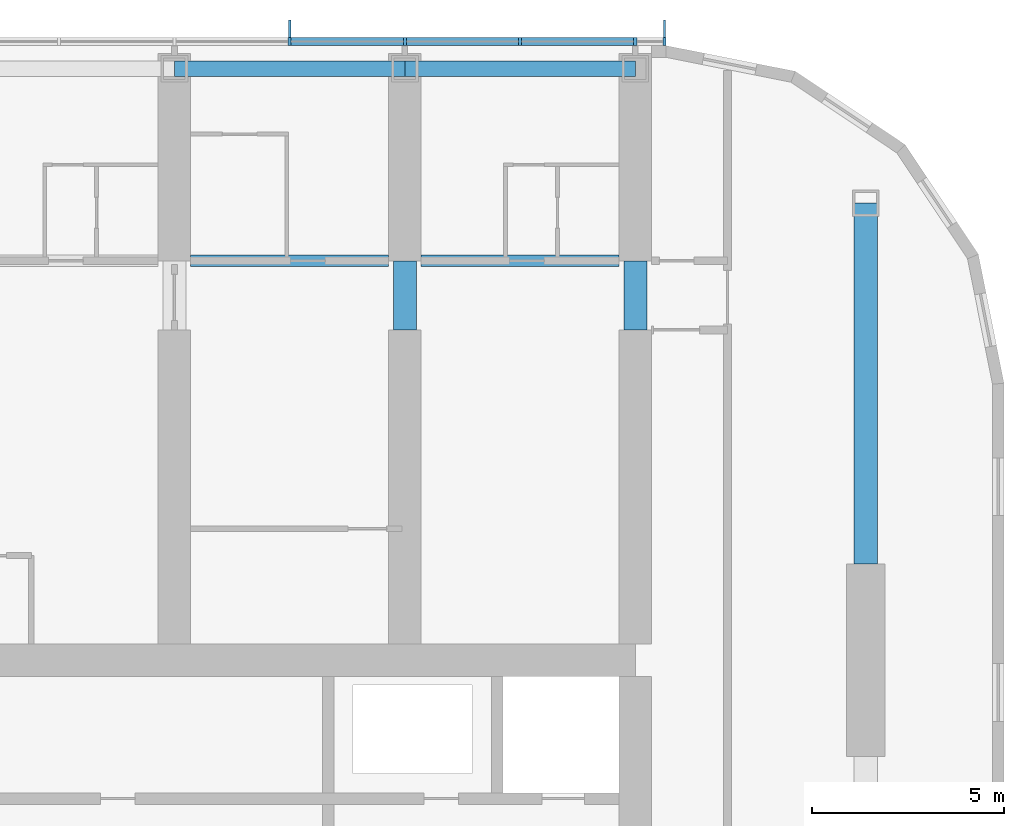
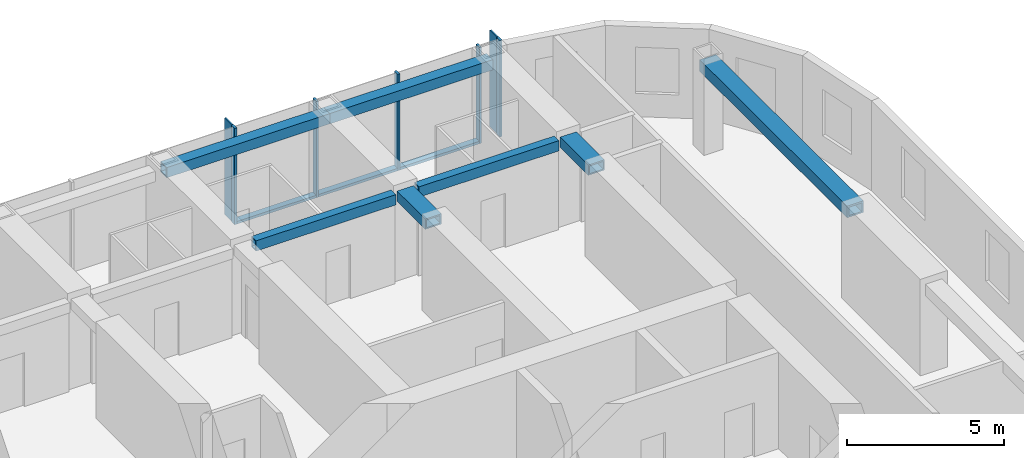
# One storey, part 5 of 22: 10 members, 7 beams, 1 element without a shape of its own.
"""IFC4 building model written with IfcOpenShell, lengths in metres."""

from ifc_helpers import new_model, si_unit, direction, frame, origin, origin_2d, place, context, subcontext, project, spatial, rectangle, hollow_rectangle, extrude, material, material_profile, profile_set, type_object, element, aggregate, save


model = new_model("IFC4")

# Units and contexts
model_context = context("Model", 3, precision=1e-05, world=origin(), true_north=direction((0.0, 1.0)))
body_context = subcontext(model_context, "Body", "Model", "MODEL_VIEW")
ifc_project = project(units=[si_unit("LENGTHUNIT", "METRE"), si_unit("AREAUNIT", "SQUARE_METRE"), si_unit("VOLUMEUNIT", "CUBIC_METRE"), si_unit("PLANEANGLEUNIT", "RADIAN"), si_unit("MASSUNIT", "GRAM", prefix="KILO")], contexts=[model_context])

# Site, building, storey
site_placement = place(None, origin())
site = spatial("IfcSite", under=ifc_project, at=site_placement, CompositionType="ELEMENT")
building_placement = place(site_placement, origin())
building = spatial("IfcBuilding", under=site, at=building_placement, Name="Orbita Commons", CompositionType="ELEMENT")
storey_placement = place(building_placement, frame((0.0, 0.0, 182.35009765625)))
storey = spatial("IfcBuildingStorey", under=building, at=storey_placement, Name="L45", CompositionType="ELEMENT", Elevation=182.35009765625)

# Curtain wall, members
ifc_material_1 = material(Name="Anodised aluminium frame, pale silver", Category="aluminium")
curtain_wall_type = type_object("IfcCurtainWallType", Name="Unitised curtain wall CW-U, full-height vision", PredefinedType="NOTDEFINED", material=ifc_material_1)
curtain_wall_placement = place(storey_placement, origin())
curtain_wall = element("IfcCurtainWall", 1, at=curtain_wall_placement, inside=storey, type_object=curtain_wall_type, Name="Curtain wall north L45", PredefinedType="NOTDEFINED")
ifc_material_2 = material(Name="Anodised aluminium, pale silver", Category="aluminium")
ifc_material_profile_1 = material_profile(ifc_material_2, rectangle(XDim=0.080078125, YDim=0.219970703125, at=origin_2d()), Name="AL 80x220")
ifc_profile_set_1 = profile_set([ifc_material_profile_1], Name="Anodised aluminium, pale silver")
member_type_1 = type_object("IfcMemberType", Name="Curtain wall mullion 80x220", PredefinedType="MULLION", material=ifc_profile_set_1)
member_1_placement = place(storey_placement, frame((66.760009765625, 54.31005859375, -0.25), z_axis=(0.0, 0.0, 1.0), x_axis=(-1.0, 0.0, 0.0)))
member_1 = element("IfcMember", 2, at=member_1_placement, type_object=member_type_1, Name="Mullion 1 CW-L45-N", PredefinedType="MULLION", context=body_context, shape_type="SweptSolid", body=[
    extrude(rectangle(XDim=0.080078125, YDim=0.219970703125, at=origin_2d()), origin(), (0.0, 0.0, 1.0), 3.75),
])
member_2_placement = place(storey_placement, frame((66.0, 54.31005859375, -0.25), z_axis=(0.0, 0.0, 1.0), x_axis=(-1.0, 0.0, 0.0)))
member_2 = element("IfcMember", 3, at=member_2_placement, type_object=member_type_1, Name="Mullion 2 CW-L45-N", PredefinedType="MULLION", context=body_context, shape_type="SweptSolid", body=[
    extrude(rectangle(XDim=0.080078125, YDim=0.219970703125, at=origin_2d()), origin(), (0.0, 0.0, 1.0), 3.75),
])
member_3_placement = place(storey_placement, frame((63.0, 54.31005859375, -0.25), z_axis=(0.0, 0.0, 1.0), x_axis=(-1.0, 0.0, 0.0)))
member_3 = element("IfcMember", 4, at=member_3_placement, type_object=member_type_1, Name="Mullion 3 CW-L45-N", PredefinedType="MULLION", context=body_context, shape_type="SweptSolid", body=[
    extrude(rectangle(XDim=0.080078125, YDim=0.219970703125, at=origin_2d()), origin(), (0.0, 0.0, 1.0), 3.75),
])
member_4_placement = place(storey_placement, frame((60.0, 54.31005859375, -0.25), z_axis=(0.0, 0.0, 1.0), x_axis=(-1.0, 0.0, 0.0)))
member_4 = element("IfcMember", 5, at=member_4_placement, type_object=member_type_1, Name="Mullion 4 CW-L45-N", PredefinedType="MULLION", context=body_context, shape_type="SweptSolid", body=[
    extrude(rectangle(XDim=0.080078125, YDim=0.219970703125, at=origin_2d()), origin(), (0.0, 0.0, 1.0), 3.75),
])
member_5_placement = place(storey_placement, frame((57.0, 54.31005859375, -0.25), z_axis=(0.0, 0.0, 1.0), x_axis=(-1.0, 0.0, 0.0)))
member_5 = element("IfcMember", 6, at=member_5_placement, type_object=member_type_1, Name="Mullion 5 CW-L45-N", PredefinedType="MULLION", context=body_context, shape_type="SweptSolid", body=[
    extrude(rectangle(XDim=0.080078125, YDim=0.219970703125, at=origin_2d()), origin(), (0.0, 0.0, 1.0), 3.75),
])
ifc_material_3 = material(Name="Anodised aluminium, pale silver", Category="aluminium")
ifc_material_profile_2 = material_profile(ifc_material_3, rectangle(XDim=0.219970703125, YDim=0.10009765625, at=origin_2d()), Name="AL 220x100")
ifc_profile_set_2 = profile_set([ifc_material_profile_2], Name="Anodised aluminium, pale silver")
member_type_2 = type_object("IfcMemberType", Name="Curtain wall stack transom 220x100", PredefinedType="USERDEFINED", material=ifc_profile_set_2)
member_6_placement = place(storey_placement, frame((65.9599609375, 54.31005859375, -0.2001953125), z_axis=(-1.0, 0.0, 0.0), x_axis=(0.0, -1.0, 0.0)))
member_6 = element("IfcMember", 7, at=member_6_placement, type_object=member_type_2, Name="Transom 2.1 CW-L45-N", ObjectType="TRANSOM", PredefinedType="USERDEFINED", context=body_context, shape_type="SweptSolid", body=[
    extrude(rectangle(XDim=0.219970703125, YDim=0.10009765625, at=origin_2d()), origin(), (0.0, 0.0, 1.0), 2.919921875),
])
member_7_placement = place(storey_placement, frame((62.9599609375, 54.31005859375, -0.2001953125), z_axis=(-1.0, 0.0, 0.0), x_axis=(0.0, -1.0, 0.0)))
member_7 = element("IfcMember", 8, at=member_7_placement, type_object=member_type_2, Name="Transom 3.1 CW-L45-N", ObjectType="TRANSOM", PredefinedType="USERDEFINED", context=body_context, shape_type="SweptSolid", body=[
    extrude(rectangle(XDim=0.219970703125, YDim=0.10009765625, at=origin_2d()), origin(), (0.0, 0.0, 1.0), 2.919921875),
])
member_8_placement = place(storey_placement, frame((59.9599609375, 54.31005859375, -0.2001953125), z_axis=(-1.0, 0.0, 0.0), x_axis=(0.0, -1.0, 0.0)))
member_8 = element("IfcMember", 9, at=member_8_placement, type_object=member_type_2, Name="Transom 4.1 CW-L45-N", ObjectType="TRANSOM", PredefinedType="USERDEFINED", context=body_context, shape_type="SweptSolid", body=[
    extrude(rectangle(XDim=0.219970703125, YDim=0.10009765625, at=origin_2d()), origin(), (0.0, 0.0, 1.0), 2.919921875),
])

# Beams
ifc_material_4 = material(Name="Steel ASTM A572 Gr 50 welded plate", Category="steel")
ifc_material_profile_3 = material_profile(ifc_material_4, hollow_rectangle(XDim=0.300048828125, YDim=0.39990234375, WallThickness=0.0400390625, at=origin_2d()), Name="BOX 400x300x40")
ifc_profile_set_3 = profile_set([ifc_material_profile_3], Name="Steel ASTM A572 Gr 50 welded plate")
beam_type_1 = type_object("IfcBeamType", Name="Steel corridor link BOX 400x300x40", PredefinedType="BEAM", material=ifc_profile_set_3)
for number, where, z_axis, x_axis, name in (
    (10, (54.425048828125, 48.60009765625, 3.2998046875), (1.0, 0.0, 0.0), (0.0, 1.0, 0.0), "Corridor beam NB 10-11 L45"),
    (11, (60.425048828125, 48.60009765625, 3.2998046875), (1.0, 0.0, 0.0), (0.0, 1.0, 0.0), "Corridor beam NB 11-12 L45"),
):
    element("IfcBeam", number, at=place(storey_placement, frame(where, z_axis=z_axis, x_axis=x_axis)), inside=storey, type_object=beam_type_1, Name=name, PredefinedType="BEAM", context=body_context, shape_type="SweptSolid", body=[
        extrude(hollow_rectangle(XDim=0.300048828125, YDim=0.39990234375, WallThickness=0.0400390625, at=origin_2d()), origin(), (0.0, 0.0, 1.0), 5.14990234375),
    ])
ifc_material_5 = material(Name="Steel ASTM A572 Gr 50 welded plate", Category="steel")
ifc_material_profile_4 = material_profile(ifc_material_5, hollow_rectangle(XDim=0.60009765625, YDim=0.39990234375, WallThickness=0.050048828125, at=origin_2d()), Name="BOX 400x600x50")
ifc_profile_set_4 = profile_set([ifc_material_profile_4], Name="Steel ASTM A572 Gr 50 welded plate")
beam_type_2 = type_object("IfcBeamType", Name="Steel coupling link BOX 400x600x50", PredefinedType="LINTEL", material=ifc_profile_set_4)
for number, where, z_axis, x_axis, name in (
    (12, (60.0, 46.800048828125, 3.2998046875), (0.0, 1.0, 0.0), (-1.0, 0.0, 0.0), "Coupling beam 11 north L45"),
    (13, (66.0, 46.800048828125, 3.2998046875), (0.0, 1.0, 0.0), (-1.0, 0.0, 0.0), "Coupling beam 12 north L45"),
):
    element("IfcBeam", number, at=place(storey_placement, frame(where, z_axis=z_axis, x_axis=x_axis)), inside=storey, type_object=beam_type_2, Name=name, PredefinedType="LINTEL", context=body_context, shape_type="SweptSolid", body=[
        extrude(hollow_rectangle(XDim=0.60009765625, YDim=0.39990234375, WallThickness=0.050048828125, at=origin_2d()), origin(), (0.0, 0.0, 1.0), 1.800048828125),
    ])
ifc_material_6 = material(Name="Steel ASTM A572 Gr 50 welded plate", Category="steel")
ifc_material_profile_5 = material_profile(ifc_material_6, hollow_rectangle(XDim=0.60009765625, YDim=0.449951171875, WallThickness=0.06005859375, at=origin_2d()), Name="BOX 450x600x60")
ifc_profile_set_5 = profile_set([ifc_material_profile_5], Name="Steel ASTM A572 Gr 50 welded plate")
beam_type_3 = type_object("IfcBeamType", Name="Steel end frame link BOX 450x600x60", PredefinedType="BEAM", material=ifc_profile_set_5)
beam_placement = place(storey_placement, frame((72.0, 40.699951171875, 3.27490234375), z_axis=(0.0, 1.0, 0.0), x_axis=(-1.0, 0.0, 0.0)))
element("IfcBeam", 14, at=beam_placement, inside=storey, type_object=beam_type_3, Name="End frame beam 13 D-E L45", PredefinedType="BEAM", context=body_context, shape_type="SweptSolid", body=[
    extrude(hollow_rectangle(XDim=0.60009765625, YDim=0.449951171875, WallThickness=0.06005859375, at=origin_2d()), origin(), (0.0, 0.0, 1.0), 9.400146484375),
])
ifc_material_7 = material(Name="Steel ASTM A572 Gr 50 welded plate", Category="steel")
ifc_material_profile_6 = material_profile(ifc_material_7, hollow_rectangle(XDim=0.39990234375, YDim=0.39990234375, WallThickness=0.0400390625, at=origin_2d()), Name="BOX 400x400x40")
ifc_profile_set_6 = profile_set([ifc_material_profile_6], Name="Steel ASTM A572 Gr 50 welded plate")
beam_type_4 = type_object("IfcBeamType", Name="Steel spandrel BOX 400x400x40", PredefinedType="SPANDREL", material=ifc_profile_set_6)
for number, where, z_axis, x_axis, name in (
    (15, (54.0, 53.60009765625, 3.2998046875), (1.0, 0.0, 0.0), (0.0, 1.0, 0.0), "Spandrel beam E 10-11 L45"),
    (16, (60.0, 53.60009765625, 3.2998046875), (1.0, 0.0, 0.0), (0.0, 1.0, 0.0), "Spandrel beam E 11-12 L45"),
):
    element("IfcBeam", number, at=place(storey_placement, frame(where, z_axis=z_axis, x_axis=x_axis)), inside=storey, type_object=beam_type_4, Name=name, PredefinedType="SPANDREL", context=body_context, shape_type="SweptSolid", body=[
        extrude(hollow_rectangle(XDim=0.39990234375, YDim=0.39990234375, WallThickness=0.0400390625, at=origin_2d()), origin(), (0.0, 0.0, 1.0), 6.0),
    ])

# Member
ifc_material_8 = material(Name="Anodised aluminium, pale silver", Category="aluminium")
ifc_material_profile_7 = material_profile(ifc_material_8, rectangle(XDim=0.06005859375, YDim=0.449951171875, at=origin_2d()), Name="FIN 60x450")
ifc_profile_set_7 = profile_set([ifc_material_profile_7], Name="Anodised aluminium, pale silver")
member_type_3 = type_object("IfcMemberType", Name="Vertical fin 60x450 pale aluminium", PredefinedType="USERDEFINED", material=ifc_profile_set_7)
member_9_placement = place(storey_placement, frame((66.760009765625, 54.64501953125, -0.25), z_axis=(0.0, 0.0, 1.0), x_axis=(-1.0, 0.0, 0.0)))
member_9 = element("IfcMember", 17, at=member_9_placement, type_object=member_type_3, Name="Fin 1 CW-L45-N", ObjectType="FIN", PredefinedType="USERDEFINED", context=body_context, shape_type="SweptSolid", body=[
    extrude(rectangle(XDim=0.06005859375, YDim=0.449951171875, at=origin_2d()), origin(), (0.0, 0.0, 1.0), 3.75),
])

member_10_placement = place(storey_placement, frame((57.0, 54.64501953125, -0.25), z_axis=(0.0, 0.0, 1.0), x_axis=(-1.0, 0.0, 0.0)))
member_10 = element("IfcMember", 18, at=member_10_placement, type_object=member_type_3, Name="Fin 5 CW-L45-N", ObjectType="FIN", PredefinedType="USERDEFINED", context=body_context, shape_type="SweptSolid", body=[
    extrude(rectangle(XDim=0.06005859375, YDim=0.449951171875, at=origin_2d()), origin(), (0.0, 0.0, 1.0), 3.75),
])

aggregate(curtain_wall, [member_1, member_9, member_2, member_3, member_4, member_5, member_10, member_6, member_7, member_8])

save(model, "model.ifc")
